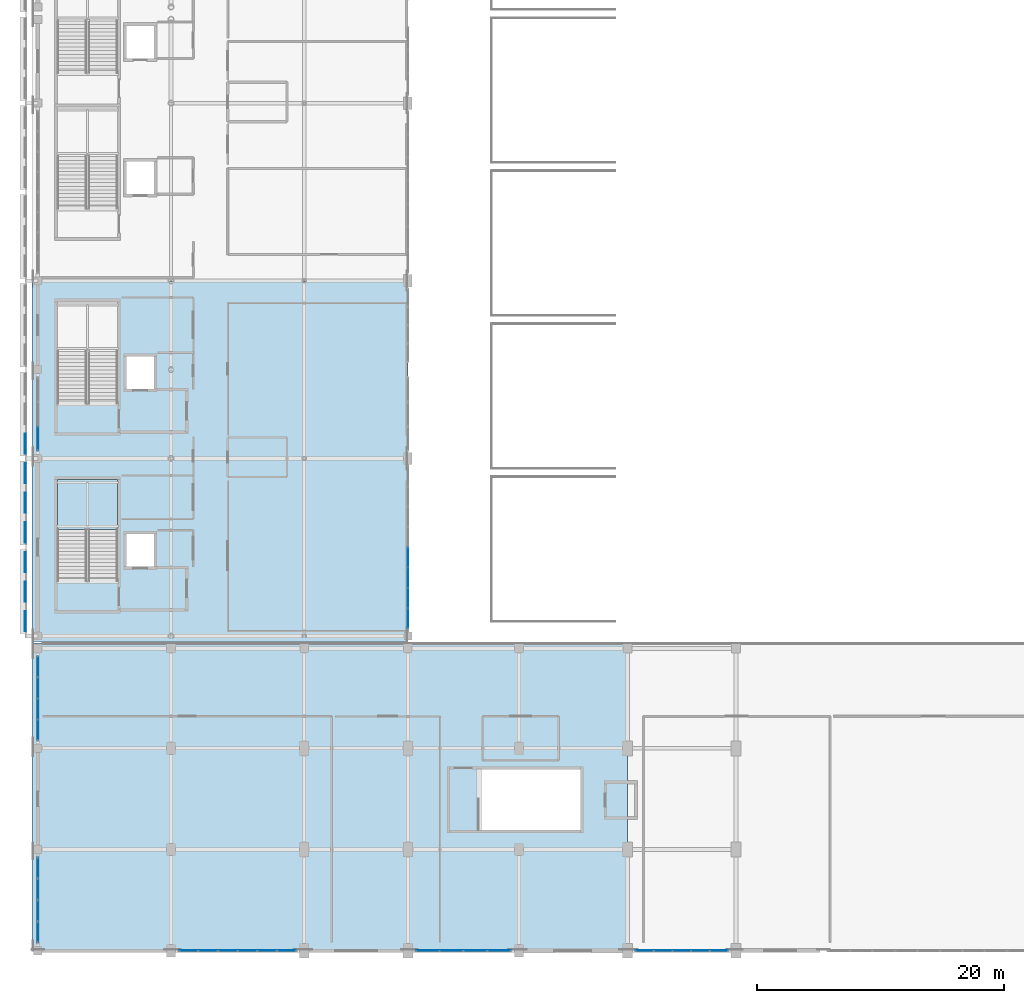
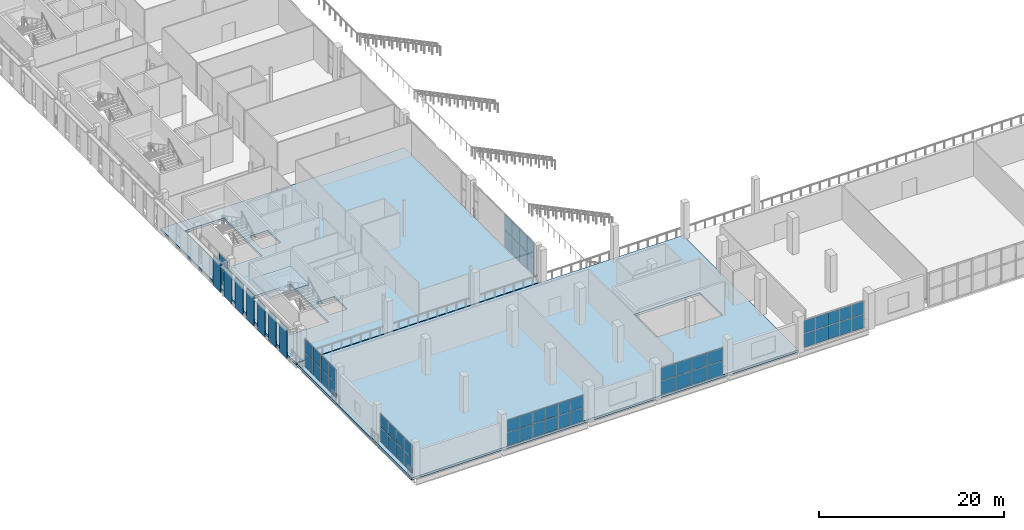
# One storey, part 52 of 104: 63 plates, 3 slabs, 8 elements without a shape of their own.
"""IFC4 building model written with IfcOpenShell, lengths in metres."""

from ifc_helpers import new_model, si_unit, direction, frame, origin, origin_2d, place, context, subcontext, project, spatial, polyline, rectangle, outline, extrude, material, layer, layer_set, type_object, element, aggregate, save


model = new_model("IFC4")

# Units and contexts
model_context = context("Model", 3, precision=1e-05, world=origin(), true_north=direction((0.0, 1.0)))
body_context = subcontext(model_context, "Body", "Model", "MODEL_VIEW")
ifc_project = project(units=[si_unit("LENGTHUNIT", "METRE"), si_unit("AREAUNIT", "SQUARE_METRE"), si_unit("VOLUMEUNIT", "CUBIC_METRE"), si_unit("PLANEANGLEUNIT", "RADIAN"), si_unit("MASSUNIT", "GRAM", prefix="KILO")], contexts=[model_context])

# Site, building, storey
site_placement = place(None, origin())
site = spatial("IfcSite", under=ifc_project, at=site_placement, CompositionType="ELEMENT")
building_placement = place(site_placement, origin())
building = spatial("IfcBuilding", under=site, at=building_placement, Name="Koshinbarg Plaza Stadium", CompositionType="ELEMENT")
storey_placement = place(building_placement, frame((0.0, 0.0, 19.800048828125)))
storey = spatial("IfcBuildingStorey", under=building, at=storey_placement, Name="L04", CompositionType="ELEMENT", Elevation=19.800048828125)

# Curtain wall, plates
ifc_material_1 = material(Name="Thermally broken anodised aluminium and low-E double glazing", Category="aluminium")
curtain_wall_type_1 = type_object("IfcCurtainWallType", Name="CW-SYS-13", PredefinedType="NOTDEFINED", material=ifc_material_1)
curtain_wall_1_placement = place(storey_placement, origin())
curtain_wall_1 = element("IfcCurtainWall", 1, at=curtain_wall_1_placement, inside=storey, type_object=curtain_wall_type_1, Name="L04 unitised curtain wall CW-L04-092", PredefinedType="NOTDEFINED")
ifc_material_2 = material(Name="Solar-control low-E double glazing unit", Category="glass")
ifc_layer_1 = layer(ifc_material_2, 0.028076171875)
ifc_layer_set_1 = layer_set([ifc_layer_1], Name="Solar-control low-E double glazing unit")
plate_type_1 = type_object("IfcPlateType", Name="CW-PNL-28", PredefinedType="CURTAIN_PANEL", material=ifc_layer_set_1)
plate_1_placement = place(storey_placement, frame((24.60009765625, 17.892578125, 0.059814453125), z_axis=(0.0, 0.0, 1.0), x_axis=(0.0, 1.0, 0.0)))
plate_1 = element("IfcPlate", 2, at=plate_1_placement, type_object=plate_type_1, Name="CW13 panel 1.1", PredefinedType="CURTAIN_PANEL", context=body_context, shape_type="SweptSolid", body=[
    extrude(rectangle(XDim=1.625, YDim=0.028076171875, at=origin_2d()), origin(), (0.0, 0.0, 1.0), 1.896484375),
])
plate_2_placement = place(storey_placement, frame((24.60009765625, 17.892578125, 2.016357421875), z_axis=(0.0, 0.0, 1.0), x_axis=(0.0, 1.0, 0.0)))
plate_2 = element("IfcPlate", 3, at=plate_2_placement, type_object=plate_type_1, Name="CW13 panel 1.2", PredefinedType="CURTAIN_PANEL", context=body_context, shape_type="SweptSolid", body=[
    extrude(rectangle(XDim=1.625, YDim=0.028076171875, at=origin_2d()), origin(), (0.0, 0.0, 1.0), 1.74365234375),
])
plate_3_placement = place(storey_placement, frame((24.60009765625, 19.592529296875, 0.059814453125), z_axis=(0.0, 0.0, 1.0), x_axis=(0.0, 1.0, 0.0)))
plate_3 = element("IfcPlate", 4, at=plate_3_placement, type_object=plate_type_1, Name="CW13 panel 2.1", PredefinedType="CURTAIN_PANEL", context=body_context, shape_type="SweptSolid", body=[
    extrude(rectangle(XDim=1.655029296875, YDim=0.028076171875, at=origin_2d()), origin(), (0.0, 0.0, 1.0), 1.896484375),
])
plate_4_placement = place(storey_placement, frame((24.60009765625, 19.592529296875, 2.016357421875), z_axis=(0.0, 0.0, 1.0), x_axis=(0.0, 1.0, 0.0)))
plate_4 = element("IfcPlate", 5, at=plate_4_placement, type_object=plate_type_1, Name="CW13 panel 2.2", PredefinedType="CURTAIN_PANEL", context=body_context, shape_type="SweptSolid", body=[
    extrude(rectangle(XDim=1.655029296875, YDim=0.028076171875, at=origin_2d()), origin(), (0.0, 0.0, 1.0), 1.74365234375),
])
plate_5_placement = place(storey_placement, frame((24.60009765625, 21.3076171875, 0.059814453125), z_axis=(0.0, 0.0, 1.0), x_axis=(0.0, 1.0, 0.0)))
plate_5 = element("IfcPlate", 6, at=plate_5_placement, type_object=plate_type_1, Name="CW13 panel 3.1", PredefinedType="CURTAIN_PANEL", context=body_context, shape_type="SweptSolid", body=[
    extrude(rectangle(XDim=1.655029296875, YDim=0.028076171875, at=origin_2d()), origin(), (0.0, 0.0, 1.0), 1.896484375),
])
plate_6_placement = place(storey_placement, frame((24.60009765625, 21.3076171875, 2.016357421875), z_axis=(0.0, 0.0, 1.0), x_axis=(0.0, 1.0, 0.0)))
plate_6 = element("IfcPlate", 7, at=plate_6_placement, type_object=plate_type_1, Name="CW13 panel 3.2", PredefinedType="CURTAIN_PANEL", context=body_context, shape_type="SweptSolid", body=[
    extrude(rectangle(XDim=1.655029296875, YDim=0.028076171875, at=origin_2d()), origin(), (0.0, 0.0, 1.0), 1.74365234375),
])
plate_7_placement = place(storey_placement, frame((24.60009765625, 23.007568359375, 0.059814453125), z_axis=(0.0, 0.0, 1.0), x_axis=(0.0, 1.0, 0.0)))
plate_7 = element("IfcPlate", 8, at=plate_7_placement, type_object=plate_type_1, Name="CW13 panel 4.1", PredefinedType="CURTAIN_PANEL", context=body_context, shape_type="SweptSolid", body=[
    extrude(rectangle(XDim=1.625, YDim=0.028076171875, at=origin_2d()), origin(), (0.0, 0.0, 1.0), 1.896484375),
])
plate_8_placement = place(storey_placement, frame((24.60009765625, 23.007568359375, 2.016357421875), z_axis=(0.0, 0.0, 1.0), x_axis=(0.0, 1.0, 0.0)))
plate_8 = element("IfcPlate", 9, at=plate_8_placement, type_object=plate_type_1, Name="CW13 panel 4.2", PredefinedType="CURTAIN_PANEL", context=body_context, shape_type="SweptSolid", body=[
    extrude(rectangle(XDim=1.625, YDim=0.028076171875, at=origin_2d()), origin(), (0.0, 0.0, 1.0), 1.74365234375),
])
aggregate(curtain_wall_1, [plate_1, plate_2, plate_3, plate_4, plate_5, plate_6, plate_7, plate_8])

curtain_wall_2_placement = place(storey_placement, origin())
curtain_wall_2 = element("IfcCurtainWall", 10, at=curtain_wall_2_placement, inside=storey, type_object=curtain_wall_type_1, Name="L04 unitised curtain wall CW-L04-108", PredefinedType="NOTDEFINED")
plate_9_placement = place(storey_placement, frame((79.80908203125, 0.0, 0.06005859375), z_axis=(0.0, 0.0, 1.0), x_axis=(-1.0, 0.0, 0.0)))
plate_9 = element("IfcPlate", 11, at=plate_9_placement, type_object=plate_type_1, Name="CW13 panel 1.1", PredefinedType="CURTAIN_PANEL", context=body_context, shape_type="SweptSolid", body=[
    extrude(rectangle(XDim=1.422119140625, YDim=0.028076171875, at=origin_2d()), origin(), (0.0, 0.0, 1.0), 1.823486328125),
])
plate_10_placement = place(storey_placement, frame((79.80908203125, 0.0, 1.943359375), z_axis=(0.0, 0.0, 1.0), x_axis=(-1.0, 0.0, 0.0)))
plate_10 = element("IfcPlate", 12, at=plate_10_placement, type_object=plate_type_1, Name="CW13 panel 1.2", PredefinedType="CURTAIN_PANEL", context=body_context, shape_type="SweptSolid", body=[
    extrude(rectangle(XDim=1.422119140625, YDim=0.028076171875, at=origin_2d()), origin(), (0.0, 0.0, 1.0), 1.676513671875),
])
plate_11_placement = place(storey_placement, frame((78.31201171875, 0.0, 0.06005859375), z_axis=(0.0, 0.0, 1.0), x_axis=(-1.0, 0.0, 0.0)))
plate_11 = element("IfcPlate", 13, at=plate_11_placement, type_object=plate_type_1, Name="CW13 panel 2.1", PredefinedType="CURTAIN_PANEL", context=body_context, shape_type="SweptSolid", body=[
    extrude(rectangle(XDim=1.451904296875, YDim=0.028076171875, at=origin_2d()), origin(), (0.0, 0.0, 1.0), 1.823486328125),
])
plate_12_placement = place(storey_placement, frame((78.31201171875, 0.0, 1.943359375), z_axis=(0.0, 0.0, 1.0), x_axis=(-1.0, 0.0, 0.0)))
plate_12 = element("IfcPlate", 14, at=plate_12_placement, type_object=plate_type_1, Name="CW13 panel 2.2", PredefinedType="CURTAIN_PANEL", context=body_context, shape_type="SweptSolid", body=[
    extrude(rectangle(XDim=1.451904296875, YDim=0.028076171875, at=origin_2d()), origin(), (0.0, 0.0, 1.0), 1.676513671875),
])
plate_13_placement = place(storey_placement, frame((76.800048828125, 0.0, 0.06005859375), z_axis=(0.0, 0.0, 1.0), x_axis=(-1.0, 0.0, 0.0)))
plate_13 = element("IfcPlate", 15, at=plate_13_placement, type_object=plate_type_1, Name="CW13 panel 3.1", PredefinedType="CURTAIN_PANEL", context=body_context, shape_type="SweptSolid", body=[
    extrude(rectangle(XDim=1.451904296875, YDim=0.028076171875, at=origin_2d()), origin(), (0.0, 0.0, 1.0), 1.823486328125),
])
plate_14_placement = place(storey_placement, frame((76.800048828125, 0.0, 1.943359375), z_axis=(0.0, 0.0, 1.0), x_axis=(-1.0, 0.0, 0.0)))
plate_14 = element("IfcPlate", 16, at=plate_14_placement, type_object=plate_type_1, Name="CW13 panel 3.2", PredefinedType="CURTAIN_PANEL", context=body_context, shape_type="SweptSolid", body=[
    extrude(rectangle(XDim=1.451904296875, YDim=0.028076171875, at=origin_2d()), origin(), (0.0, 0.0, 1.0), 1.676513671875),
])
plate_15_placement = place(storey_placement, frame((75.2880859375, 0.0, 0.06005859375), z_axis=(0.0, 0.0, 1.0), x_axis=(-1.0, 0.0, 0.0)))
plate_15 = element("IfcPlate", 17, at=plate_15_placement, type_object=plate_type_1, Name="CW13 panel 4.1", PredefinedType="CURTAIN_PANEL", context=body_context, shape_type="SweptSolid", body=[
    extrude(rectangle(XDim=1.451904296875, YDim=0.028076171875, at=origin_2d()), origin(), (0.0, 0.0, 1.0), 1.823486328125),
])
plate_16_placement = place(storey_placement, frame((75.2880859375, 0.0, 1.943359375), z_axis=(0.0, 0.0, 1.0), x_axis=(-1.0, 0.0, 0.0)))
plate_16 = element("IfcPlate", 18, at=plate_16_placement, type_object=plate_type_1, Name="CW13 panel 4.2", PredefinedType="CURTAIN_PANEL", context=body_context, shape_type="SweptSolid", body=[
    extrude(rectangle(XDim=1.451904296875, YDim=0.028076171875, at=origin_2d()), origin(), (0.0, 0.0, 1.0), 1.676513671875),
])
plate_17_placement = place(storey_placement, frame((73.791015625, 0.0, 0.06005859375), z_axis=(0.0, 0.0, 1.0), x_axis=(-1.0, 0.0, 0.0)))
plate_17 = element("IfcPlate", 19, at=plate_17_placement, type_object=plate_type_1, Name="CW13 panel 5.1", PredefinedType="CURTAIN_PANEL", context=body_context, shape_type="SweptSolid", body=[
    extrude(rectangle(XDim=1.422119140625, YDim=0.028076171875, at=origin_2d()), origin(), (0.0, 0.0, 1.0), 1.823486328125),
])
plate_18_placement = place(storey_placement, frame((73.791015625, 0.0, 1.943359375), z_axis=(0.0, 0.0, 1.0), x_axis=(-1.0, 0.0, 0.0)))
plate_18 = element("IfcPlate", 20, at=plate_18_placement, type_object=plate_type_1, Name="CW13 panel 5.2", PredefinedType="CURTAIN_PANEL", context=body_context, shape_type="SweptSolid", body=[
    extrude(rectangle(XDim=1.422119140625, YDim=0.028076171875, at=origin_2d()), origin(), (0.0, 0.0, 1.0), 1.676513671875),
])
aggregate(curtain_wall_2, [plate_9, plate_10, plate_11, plate_12, plate_13, plate_14, plate_15, plate_16, plate_17, plate_18])

curtain_wall_type_2 = type_object("IfcCurtainWallType", Name="CW-SYS-15", PredefinedType="NOTDEFINED", material=ifc_material_1)
curtain_wall_3_placement = place(storey_placement, origin())
curtain_wall_3 = element("IfcCurtainWall", 21, at=curtain_wall_3_placement, inside=storey, type_object=curtain_wall_type_2, Name="L04 unitised curtain wall CW-L04-110", PredefinedType="NOTDEFINED")
plate_19_placement = place(storey_placement, frame((44.768310546875, 0.0, 0.06005859375), z_axis=(0.0, 0.0, 1.0), x_axis=(-1.0, 0.0, 0.0)))
plate_19 = element("IfcPlate", 22, at=plate_19_placement, type_object=plate_type_1, Name="CW15 panel 1.1", PredefinedType="CURTAIN_PANEL", context=body_context, shape_type="SweptSolid", body=[
    extrude(rectangle(XDim=1.50341796875, YDim=0.028076171875, at=origin_2d()), origin(), (0.0, 0.0, 1.0), 1.740478515625),
])
plate_20_placement = place(storey_placement, frame((44.768310546875, 0.0, 1.8603515625), z_axis=(0.0, 0.0, 1.0), x_axis=(-1.0, 0.0, 0.0)))
plate_20 = element("IfcPlate", 23, at=plate_20_placement, type_object=plate_type_1, Name="CW15 panel 1.2", PredefinedType="CURTAIN_PANEL", context=body_context, shape_type="SweptSolid", body=[
    extrude(rectangle(XDim=1.50341796875, YDim=0.028076171875, at=origin_2d()), origin(), (0.0, 0.0, 1.0), 1.599609375),
])
plate_21_placement = place(storey_placement, frame((43.18994140625, 0.0, 0.06005859375), z_axis=(0.0, 0.0, 1.0), x_axis=(-1.0, 0.0, 0.0)))
plate_21 = element("IfcPlate", 24, at=plate_21_placement, type_object=plate_type_1, Name="CW15 panel 2.1", PredefinedType="CURTAIN_PANEL", context=body_context, shape_type="SweptSolid", body=[
    extrude(rectangle(XDim=1.533447265625, YDim=0.028076171875, at=origin_2d()), origin(), (0.0, 0.0, 1.0), 1.740478515625),
])
plate_22_placement = place(storey_placement, frame((43.18994140625, 0.0, 1.8603515625), z_axis=(0.0, 0.0, 1.0), x_axis=(-1.0, 0.0, 0.0)))
plate_22 = element("IfcPlate", 25, at=plate_22_placement, type_object=plate_type_1, Name="CW15 panel 2.2", PredefinedType="CURTAIN_PANEL", context=body_context, shape_type="SweptSolid", body=[
    extrude(rectangle(XDim=1.533447265625, YDim=0.028076171875, at=origin_2d()), origin(), (0.0, 0.0, 1.0), 1.599609375),
])
plate_23_placement = place(storey_placement, frame((41.5966796875, 0.0, 0.06005859375), z_axis=(0.0, 0.0, 1.0), x_axis=(-1.0, 0.0, 0.0)))
plate_23 = element("IfcPlate", 26, at=plate_23_placement, type_object=plate_type_1, Name="CW15 panel 3.1", PredefinedType="CURTAIN_PANEL", context=body_context, shape_type="SweptSolid", body=[
    extrude(rectangle(XDim=1.533447265625, YDim=0.028076171875, at=origin_2d()), origin(), (0.0, 0.0, 1.0), 1.740478515625),
])
plate_24_placement = place(storey_placement, frame((41.5966796875, 0.0, 1.8603515625), z_axis=(0.0, 0.0, 1.0), x_axis=(-1.0, 0.0, 0.0)))
plate_24 = element("IfcPlate", 27, at=plate_24_placement, type_object=plate_type_1, Name="CW15 panel 3.2", PredefinedType="CURTAIN_PANEL", context=body_context, shape_type="SweptSolid", body=[
    extrude(rectangle(XDim=1.533447265625, YDim=0.028076171875, at=origin_2d()), origin(), (0.0, 0.0, 1.0), 1.599609375),
])
plate_25_placement = place(storey_placement, frame((40.00341796875, 0.0, 0.06005859375), z_axis=(0.0, 0.0, 1.0), x_axis=(-1.0, 0.0, 0.0)))
plate_25 = element("IfcPlate", 28, at=plate_25_placement, type_object=plate_type_1, Name="CW15 panel 4.1", PredefinedType="CURTAIN_PANEL", context=body_context, shape_type="SweptSolid", body=[
    extrude(rectangle(XDim=1.533447265625, YDim=0.028076171875, at=origin_2d()), origin(), (0.0, 0.0, 1.0), 1.740478515625),
])
plate_26_placement = place(storey_placement, frame((40.00341796875, 0.0, 1.8603515625), z_axis=(0.0, 0.0, 1.0), x_axis=(-1.0, 0.0, 0.0)))
plate_26 = element("IfcPlate", 29, at=plate_26_placement, type_object=plate_type_1, Name="CW15 panel 4.2", PredefinedType="CURTAIN_PANEL", context=body_context, shape_type="SweptSolid", body=[
    extrude(rectangle(XDim=1.533447265625, YDim=0.028076171875, at=origin_2d()), origin(), (0.0, 0.0, 1.0), 1.599609375),
])
plate_27_placement = place(storey_placement, frame((38.409912109375, 0.0, 0.06005859375), z_axis=(0.0, 0.0, 1.0), x_axis=(-1.0, 0.0, 0.0)))
plate_27 = element("IfcPlate", 30, at=plate_27_placement, type_object=plate_type_1, Name="CW15 panel 5.1", PredefinedType="CURTAIN_PANEL", context=body_context, shape_type="SweptSolid", body=[
    extrude(rectangle(XDim=1.533447265625, YDim=0.028076171875, at=origin_2d()), origin(), (0.0, 0.0, 1.0), 1.740478515625),
])
plate_28_placement = place(storey_placement, frame((38.409912109375, 0.0, 1.8603515625), z_axis=(0.0, 0.0, 1.0), x_axis=(-1.0, 0.0, 0.0)))
plate_28 = element("IfcPlate", 31, at=plate_28_placement, type_object=plate_type_1, Name="CW15 panel 5.2", PredefinedType="CURTAIN_PANEL", context=body_context, shape_type="SweptSolid", body=[
    extrude(rectangle(XDim=1.533447265625, YDim=0.028076171875, at=origin_2d()), origin(), (0.0, 0.0, 1.0), 1.599609375),
])
plate_29_placement = place(storey_placement, frame((36.831787109375, 0.0, 0.06005859375), z_axis=(0.0, 0.0, 1.0), x_axis=(-1.0, 0.0, 0.0)))
plate_29 = element("IfcPlate", 32, at=plate_29_placement, type_object=plate_type_1, Name="CW15 panel 6.1", PredefinedType="CURTAIN_PANEL", context=body_context, shape_type="SweptSolid", body=[
    extrude(rectangle(XDim=1.50341796875, YDim=0.028076171875, at=origin_2d()), origin(), (0.0, 0.0, 1.0), 1.740478515625),
])
plate_30_placement = place(storey_placement, frame((36.831787109375, 0.0, 1.8603515625), z_axis=(0.0, 0.0, 1.0), x_axis=(-1.0, 0.0, 0.0)))
plate_30 = element("IfcPlate", 33, at=plate_30_placement, type_object=plate_type_1, Name="CW15 panel 6.2", PredefinedType="CURTAIN_PANEL", context=body_context, shape_type="SweptSolid", body=[
    extrude(rectangle(XDim=1.50341796875, YDim=0.028076171875, at=origin_2d()), origin(), (0.0, 0.0, 1.0), 1.599609375),
])
aggregate(curtain_wall_3, [plate_19, plate_20, plate_21, plate_22, plate_23, plate_24, plate_25, plate_26, plate_27, plate_28, plate_29, plate_30])

curtain_wall_type_3 = type_object("IfcCurtainWallType", Name="CW-SYS-09", PredefinedType="NOTDEFINED", material=ifc_material_1)
curtain_wall_4_placement = place(storey_placement, origin())
curtain_wall_4 = element("IfcCurtainWall", 34, at=curtain_wall_4_placement, inside=storey, type_object=curtain_wall_type_3, Name="L04 unitised curtain wall CW-L04-120", PredefinedType="NOTDEFINED")
plate_31_placement = place(storey_placement, frame((54.60009765625, 31.87744140625, 0.06005859375), z_axis=(0.0, 0.0, 1.0), x_axis=(0.0, -1.0, 0.0)))
plate_31 = element("IfcPlate", 35, at=plate_31_placement, type_object=plate_type_1, Name="CW09 panel 5.1", PredefinedType="CURTAIN_PANEL", context=body_context, shape_type="SweptSolid", body=[
    extrude(rectangle(XDim=1.5849609375, YDim=0.028076171875, at=origin_2d()), origin(), (0.0, 0.0, 1.0), 2.239501953125),
])
plate_32_placement = place(storey_placement, frame((54.60009765625, 31.87744140625, 2.359375), z_axis=(0.0, 0.0, 1.0), x_axis=(0.0, -1.0, 0.0)))
plate_32 = element("IfcPlate", 36, at=plate_32_placement, type_object=plate_type_1, Name="CW09 panel 5.2", PredefinedType="CURTAIN_PANEL", context=body_context, shape_type="SweptSolid", body=[
    extrude(rectangle(XDim=1.5849609375, YDim=0.028076171875, at=origin_2d()), origin(), (0.0, 0.0, 1.0), 2.060302734375),
])
plate_33_placement = place(storey_placement, frame((54.60009765625, 30.232421875, 0.06005859375), z_axis=(0.0, 0.0, 1.0), x_axis=(0.0, -1.0, 0.0)))
plate_33 = element("IfcPlate", 37, at=plate_33_placement, type_object=plate_type_1, Name="CW09 panel 6.1", PredefinedType="CURTAIN_PANEL", context=body_context, shape_type="SweptSolid", body=[
    extrude(rectangle(XDim=1.5849609375, YDim=0.028076171875, at=origin_2d()), origin(), (0.0, 0.0, 1.0), 2.239501953125),
])
plate_34_placement = place(storey_placement, frame((54.60009765625, 30.232421875, 2.359375), z_axis=(0.0, 0.0, 1.0), x_axis=(0.0, -1.0, 0.0)))
plate_34 = element("IfcPlate", 38, at=plate_34_placement, type_object=plate_type_1, Name="CW09 panel 6.2", PredefinedType="CURTAIN_PANEL", context=body_context, shape_type="SweptSolid", body=[
    extrude(rectangle(XDim=1.5849609375, YDim=0.028076171875, at=origin_2d()), origin(), (0.0, 0.0, 1.0), 2.060302734375),
])
plate_35_placement = place(storey_placement, frame((54.60009765625, 28.58740234375, 0.06005859375), z_axis=(0.0, 0.0, 1.0), x_axis=(0.0, -1.0, 0.0)))
plate_35 = element("IfcPlate", 39, at=plate_35_placement, type_object=plate_type_1, Name="CW09 panel 7.1", PredefinedType="CURTAIN_PANEL", context=body_context, shape_type="SweptSolid", body=[
    extrude(rectangle(XDim=1.5849609375, YDim=0.028076171875, at=origin_2d()), origin(), (0.0, 0.0, 1.0), 2.239501953125),
])
plate_36_placement = place(storey_placement, frame((54.60009765625, 28.58740234375, 2.359375), z_axis=(0.0, 0.0, 1.0), x_axis=(0.0, -1.0, 0.0)))
plate_36 = element("IfcPlate", 40, at=plate_36_placement, type_object=plate_type_1, Name="CW09 panel 7.2", PredefinedType="CURTAIN_PANEL", context=body_context, shape_type="SweptSolid", body=[
    extrude(rectangle(XDim=1.5849609375, YDim=0.028076171875, at=origin_2d()), origin(), (0.0, 0.0, 1.0), 2.060302734375),
])
plate_37_placement = place(storey_placement, frame((54.60009765625, 26.95751953125, 0.06005859375), z_axis=(0.0, 0.0, 1.0), x_axis=(0.0, -1.0, 0.0)))
plate_37 = element("IfcPlate", 41, at=plate_37_placement, type_object=plate_type_1, Name="CW09 panel 8.1", PredefinedType="CURTAIN_PANEL", context=body_context, shape_type="SweptSolid", body=[
    extrude(rectangle(XDim=1.554931640625, YDim=0.028076171875, at=origin_2d()), origin(), (0.0, 0.0, 1.0), 2.239501953125),
])
plate_38_placement = place(storey_placement, frame((54.60009765625, 26.95751953125, 2.359375), z_axis=(0.0, 0.0, 1.0), x_axis=(0.0, -1.0, 0.0)))
plate_38 = element("IfcPlate", 42, at=plate_38_placement, type_object=plate_type_1, Name="CW09 panel 8.2", PredefinedType="CURTAIN_PANEL", context=body_context, shape_type="SweptSolid", body=[
    extrude(rectangle(XDim=1.554931640625, YDim=0.028076171875, at=origin_2d()), origin(), (0.0, 0.0, 1.0), 2.060302734375),
])
aggregate(curtain_wall_4, [plate_31, plate_32, plate_33, plate_34, plate_35, plate_36, plate_37, plate_38])

curtain_wall_type_4 = type_object("IfcCurtainWallType", Name="CW-SYS-12", PredefinedType="NOTDEFINED", material=ifc_material_1)
curtain_wall_5_placement = place(storey_placement, origin())
curtain_wall_5 = element("IfcCurtainWall", 43, at=curtain_wall_5_placement, inside=storey, type_object=curtain_wall_type_4, Name="L04 unitised curtain wall CW-L04-091", PredefinedType="NOTDEFINED")
ifc_material_3 = material(Name="Acoustic solar-control double glazing unit", Category="glass")
ifc_layer_2 = layer(ifc_material_3, 0.031982421875)
ifc_layer_set_2 = layer_set([ifc_layer_2], Name="Acoustic solar-control double glazing unit")
plate_type_2 = type_object("IfcPlateType", Name="CW-PNL-32", PredefinedType="CURTAIN_PANEL", material=ifc_layer_set_2)
plate_39_placement = place(storey_placement, frame((24.60009765625, 1.5048828125, 0.059814453125), z_axis=(0.0, 0.0, 1.0), x_axis=(0.0, 1.0, 0.0)))
plate_39 = element("IfcPlate", 44, at=plate_39_placement, type_object=plate_type_2, Name="CW12 panel 1.1", PredefinedType="CURTAIN_PANEL", context=body_context, shape_type="SweptSolid", body=[
    extrude(rectangle(XDim=1.64990234375, YDim=0.031982421875, at=origin_2d()), origin(), (0.0, 0.0, 1.0), 1.896484375),
])
plate_40_placement = place(storey_placement, frame((24.60009765625, 1.5048828125, 2.016357421875), z_axis=(0.0, 0.0, 1.0), x_axis=(0.0, 1.0, 0.0)))
plate_40 = element("IfcPlate", 45, at=plate_40_placement, type_object=plate_type_2, Name="CW12 panel 1.2", PredefinedType="CURTAIN_PANEL", context=body_context, shape_type="SweptSolid", body=[
    extrude(rectangle(XDim=1.64990234375, YDim=0.031982421875, at=origin_2d()), origin(), (0.0, 0.0, 1.0), 1.74365234375),
])
plate_41_placement = place(storey_placement, frame((24.60009765625, 3.22998046875, 0.059814453125), z_axis=(0.0, 0.0, 1.0), x_axis=(0.0, 1.0, 0.0)))
plate_41 = element("IfcPlate", 46, at=plate_41_placement, type_object=plate_type_2, Name="CW12 panel 2.1", PredefinedType="CURTAIN_PANEL", context=body_context, shape_type="SweptSolid", body=[
    extrude(rectangle(XDim=1.679931640625, YDim=0.031982421875, at=origin_2d()), origin(), (0.0, 0.0, 1.0), 1.896484375),
])
plate_42_placement = place(storey_placement, frame((24.60009765625, 3.22998046875, 2.016357421875), z_axis=(0.0, 0.0, 1.0), x_axis=(0.0, 1.0, 0.0)))
plate_42 = element("IfcPlate", 47, at=plate_42_placement, type_object=plate_type_2, Name="CW12 panel 2.2", PredefinedType="CURTAIN_PANEL", context=body_context, shape_type="SweptSolid", body=[
    extrude(rectangle(XDim=1.679931640625, YDim=0.031982421875, at=origin_2d()), origin(), (0.0, 0.0, 1.0), 1.74365234375),
])
plate_43_placement = place(storey_placement, frame((24.60009765625, 4.969970703125, 0.059814453125), z_axis=(0.0, 0.0, 1.0), x_axis=(0.0, 1.0, 0.0)))
plate_43 = element("IfcPlate", 48, at=plate_43_placement, type_object=plate_type_2, Name="CW12 panel 3.1", PredefinedType="CURTAIN_PANEL", context=body_context, shape_type="SweptSolid", body=[
    extrude(rectangle(XDim=1.679931640625, YDim=0.031982421875, at=origin_2d()), origin(), (0.0, 0.0, 1.0), 1.896484375),
])
plate_44_placement = place(storey_placement, frame((24.60009765625, 4.969970703125, 2.016357421875), z_axis=(0.0, 0.0, 1.0), x_axis=(0.0, 1.0, 0.0)))
plate_44 = element("IfcPlate", 49, at=plate_44_placement, type_object=plate_type_2, Name="CW12 panel 3.2", PredefinedType="CURTAIN_PANEL", context=body_context, shape_type="SweptSolid", body=[
    extrude(rectangle(XDim=1.679931640625, YDim=0.031982421875, at=origin_2d()), origin(), (0.0, 0.0, 1.0), 1.74365234375),
])
plate_45_placement = place(storey_placement, frame((24.60009765625, 6.695068359375, 0.059814453125), z_axis=(0.0, 0.0, 1.0), x_axis=(0.0, 1.0, 0.0)))
plate_45 = element("IfcPlate", 50, at=plate_45_placement, type_object=plate_type_2, Name="CW12 panel 4.1", PredefinedType="CURTAIN_PANEL", context=body_context, shape_type="SweptSolid", body=[
    extrude(rectangle(XDim=1.64990234375, YDim=0.031982421875, at=origin_2d()), origin(), (0.0, 0.0, 1.0), 1.896484375),
])
plate_46_placement = place(storey_placement, frame((24.60009765625, 6.695068359375, 2.016357421875), z_axis=(0.0, 0.0, 1.0), x_axis=(0.0, 1.0, 0.0)))
plate_46 = element("IfcPlate", 51, at=plate_46_placement, type_object=plate_type_2, Name="CW12 panel 4.2", PredefinedType="CURTAIN_PANEL", context=body_context, shape_type="SweptSolid", body=[
    extrude(rectangle(XDim=1.64990234375, YDim=0.031982421875, at=origin_2d()), origin(), (0.0, 0.0, 1.0), 1.74365234375),
])
aggregate(curtain_wall_5, [plate_39, plate_40, plate_41, plate_42, plate_43, plate_44, plate_45, plate_46])

curtain_wall_type_5 = type_object("IfcCurtainWallType", Name="CW-SYS-14", PredefinedType="NOTDEFINED", material=ifc_material_1)
curtain_wall_6_placement = place(storey_placement, origin())
curtain_wall_6 = element("IfcCurtainWall", 52, at=curtain_wall_6_placement, inside=storey, type_object=curtain_wall_type_5, Name="L04 unitised curtain wall CW-L04-093", PredefinedType="NOTDEFINED")
plate_47_placement = place(storey_placement, frame((24.60009765625, 41.5283203125, 0.06005859375), z_axis=(0.0, 0.0, 1.0), x_axis=(0.0, 1.0, 0.0)))
plate_47 = element("IfcPlate", 53, at=plate_47_placement, type_object=plate_type_2, Name="CW14 panel 1.1", PredefinedType="CURTAIN_PANEL", context=body_context, shape_type="SweptSolid", body=[
    extrude(rectangle(XDim=1.896728515625, YDim=0.031982421875, at=origin_2d()), origin(), (0.0, 0.0, 1.0), 1.927490234375),
])
plate_48_placement = place(storey_placement, frame((24.60009765625, 41.5283203125, 2.047607421875), z_axis=(0.0, 0.0, 1.0), x_axis=(0.0, 1.0, 0.0)))
plate_48 = element("IfcPlate", 54, at=plate_48_placement, type_object=plate_type_2, Name="CW14 panel 1.2", PredefinedType="CURTAIN_PANEL", context=body_context, shape_type="SweptSolid", body=[
    extrude(rectangle(XDim=1.896728515625, YDim=0.031982421875, at=origin_2d()), origin(), (0.0, 0.0, 1.0), 1.7724609375),
])
aggregate(curtain_wall_6, [plate_47, plate_48])

curtain_wall_7_placement = place(storey_placement, origin())
curtain_wall_7 = element("IfcCurtainWall", 55, at=curtain_wall_7_placement, inside=storey, type_object=curtain_wall_type_5, Name="L04 unitised curtain wall CW-L04-109", PredefinedType="NOTDEFINED")
plate_49_placement = place(storey_placement, frame((61.9951171875, 0.0, 0.06005859375), z_axis=(0.0, 0.0, 1.0), x_axis=(-1.0, 0.0, 0.0)))
plate_49 = element("IfcPlate", 56, at=plate_49_placement, type_object=plate_type_2, Name="CW14 panel 1.1", PredefinedType="CURTAIN_PANEL", context=body_context, shape_type="SweptSolid", body=[
    extrude(rectangle(XDim=1.85009765625, YDim=0.031982421875, at=origin_2d()), origin(), (0.0, 0.0, 1.0), 1.823486328125),
])
plate_50_placement = place(storey_placement, frame((61.9951171875, 0.0, 1.943359375), z_axis=(0.0, 0.0, 1.0), x_axis=(-1.0, 0.0, 0.0)))
plate_50 = element("IfcPlate", 57, at=plate_50_placement, type_object=plate_type_2, Name="CW14 panel 1.2", PredefinedType="CURTAIN_PANEL", context=body_context, shape_type="SweptSolid", body=[
    extrude(rectangle(XDim=1.85009765625, YDim=0.031982421875, at=origin_2d()), origin(), (0.0, 0.0, 1.0), 1.676513671875),
])
plate_51_placement = place(storey_placement, frame((60.070068359375, 0.0, 0.06005859375), z_axis=(0.0, 0.0, 1.0), x_axis=(-1.0, 0.0, 0.0)))
plate_51 = element("IfcPlate", 58, at=plate_51_placement, type_object=plate_type_2, Name="CW14 panel 2.1", PredefinedType="CURTAIN_PANEL", context=body_context, shape_type="SweptSolid", body=[
    extrude(rectangle(XDim=1.8798828125, YDim=0.031982421875, at=origin_2d()), origin(), (0.0, 0.0, 1.0), 1.823486328125),
])
plate_52_placement = place(storey_placement, frame((60.070068359375, 0.0, 1.943359375), z_axis=(0.0, 0.0, 1.0), x_axis=(-1.0, 0.0, 0.0)))
plate_52 = element("IfcPlate", 59, at=plate_52_placement, type_object=plate_type_2, Name="CW14 panel 2.2", PredefinedType="CURTAIN_PANEL", context=body_context, shape_type="SweptSolid", body=[
    extrude(rectangle(XDim=1.8798828125, YDim=0.031982421875, at=origin_2d()), origin(), (0.0, 0.0, 1.0), 1.676513671875),
])
plate_53_placement = place(storey_placement, frame((58.1298828125, 0.0, 0.06005859375), z_axis=(0.0, 0.0, 1.0), x_axis=(-1.0, 0.0, 0.0)))
plate_53 = element("IfcPlate", 60, at=plate_53_placement, type_object=plate_type_2, Name="CW14 panel 3.1", PredefinedType="CURTAIN_PANEL", context=body_context, shape_type="SweptSolid", body=[
    extrude(rectangle(XDim=1.8798828125, YDim=0.031982421875, at=origin_2d()), origin(), (0.0, 0.0, 1.0), 1.823486328125),
])
plate_54_placement = place(storey_placement, frame((58.1298828125, 0.0, 1.943359375), z_axis=(0.0, 0.0, 1.0), x_axis=(-1.0, 0.0, 0.0)))
plate_54 = element("IfcPlate", 61, at=plate_54_placement, type_object=plate_type_2, Name="CW14 panel 3.2", PredefinedType="CURTAIN_PANEL", context=body_context, shape_type="SweptSolid", body=[
    extrude(rectangle(XDim=1.8798828125, YDim=0.031982421875, at=origin_2d()), origin(), (0.0, 0.0, 1.0), 1.676513671875),
])
plate_55_placement = place(storey_placement, frame((56.205078125, 0.0, 0.06005859375), z_axis=(0.0, 0.0, 1.0), x_axis=(-1.0, 0.0, 0.0)))
plate_55 = element("IfcPlate", 62, at=plate_55_placement, type_object=plate_type_2, Name="CW14 panel 4.1", PredefinedType="CURTAIN_PANEL", context=body_context, shape_type="SweptSolid", body=[
    extrude(rectangle(XDim=1.85009765625, YDim=0.031982421875, at=origin_2d()), origin(), (0.0, 0.0, 1.0), 1.823486328125),
])
plate_56_placement = place(storey_placement, frame((56.205078125, 0.0, 1.943359375), z_axis=(0.0, 0.0, 1.0), x_axis=(-1.0, 0.0, 0.0)))
plate_56 = element("IfcPlate", 63, at=plate_56_placement, type_object=plate_type_2, Name="CW14 panel 4.2", PredefinedType="CURTAIN_PANEL", context=body_context, shape_type="SweptSolid", body=[
    extrude(rectangle(XDim=1.85009765625, YDim=0.031982421875, at=origin_2d()), origin(), (0.0, 0.0, 1.0), 1.676513671875),
])
aggregate(curtain_wall_7, [plate_49, plate_50, plate_51, plate_52, plate_53, plate_54, plate_55, plate_56])

# Plates
ifc_material_4 = material(Name="Off-white mineral-coated perforated aluminium screen panel", Category="aluminium")
ifc_layer_3 = layer(ifc_material_4, 0.050048828125)
ifc_layer_set_3 = layer_set([ifc_layer_3], Name="Off-white mineral-coated perforated aluminium screen panel")
plate_type_3 = type_object("IfcPlateType", Name="PLT-SCR-50", PredefinedType="USERDEFINED", material=ifc_layer_set_3)
for number, where, z_axis, x_axis, name in (
    (64, (23.580078125, 29.10009765625, 0.19970703125), (0.0, 0.0, 1.0), (1.0, 0.0, 0.0), "L04 off-white leaf-pierced outer screen panel 044"),
    (65, (23.580078125, 33.89990234375, 0.19970703125), (0.0, 0.0, 1.0), (1.0, 0.0, 0.0), "L04 off-white leaf-pierced outer screen panel 046"),
    (66, (23.580078125, 38.699951171875, 0.19970703125), (0.0, 0.0, 1.0), (1.0, 0.0, 0.0), "L04 off-white leaf-pierced outer screen panel 048"),
):
    element("IfcPlate", number, at=place(storey_placement, frame(where, z_axis=z_axis, x_axis=x_axis)), inside=storey, type_object=plate_type_3, Name=name, ObjectType="SCREEN PANEL", PredefinedType="USERDEFINED", context=body_context, shape_type="SweptSolid", body=[
        extrude(rectangle(XDim=0.050048828125, YDim=1.632080078125, at=origin_2d()), origin(), (0.0, 0.0, 1.0), 4.030029296875),
    ])
ifc_material_5 = material(Name="Off-white mineral-coated leaf-aperture GRC screen panel")
ifc_layer_4 = layer(ifc_material_5, 0.06005859375)
ifc_layer_set_4 = layer_set([ifc_layer_4], Name="Off-white mineral-coated leaf-aperture GRC screen panel")
plate_type_4 = type_object("IfcPlateType", Name="PLT-SCR-60", PredefinedType="USERDEFINED", material=ifc_layer_set_4)
for number, where, z_axis, x_axis, name in (
    (67, (23.574951171875, 26.699951171875, 0.19970703125), (0.0, 0.0, 1.0), (1.0, 0.0, 0.0), "L04 off-white leaf-pierced outer screen panel 043"),
    (68, (23.574951171875, 31.5, 0.19970703125), (0.0, 0.0, 1.0), (1.0, 0.0, 0.0), "L04 off-white leaf-pierced outer screen panel 045"),
    (69, (23.574951171875, 36.300048828125, 0.19970703125), (0.0, 0.0, 1.0), (1.0, 0.0, 0.0), "L04 off-white leaf-pierced outer screen panel 047"),
    (70, (23.574951171875, 41.10009765625, 0.19970703125), (0.0, 0.0, 1.0), (1.0, 0.0, 0.0), "L04 off-white leaf-pierced outer screen panel 049"),
):
    element("IfcPlate", number, at=place(storey_placement, frame(where, z_axis=z_axis, x_axis=x_axis)), inside=storey, type_object=plate_type_4, Name=name, ObjectType="SCREEN PANEL", PredefinedType="USERDEFINED", context=body_context, shape_type="SweptSolid", body=[
        extrude(rectangle(XDim=0.06005859375, YDim=1.632080078125, at=origin_2d()), origin(), (0.0, 0.0, 1.0), 4.030029296875),
    ])

# Slabs
ifc_material_6 = material(Name="Concrete C35/45", Category="concrete")
ifc_layer_5 = layer(ifc_material_6, 0.300048828125)
ifc_layer_set_5 = layer_set([ifc_layer_5], Name="Concrete C35/45")
slab_type_1 = type_object("IfcSlabType", Name="SL-FLR-300", PredefinedType="FLOOR", material=ifc_layer_set_5)
slab_1_placement = place(storey_placement, frame((0.0, 0.0, -0.300048828125)))
element("IfcSlab", 71, at=slab_1_placement, inside=storey, type_object=slab_type_1, Name="L04 V1 structural slab 1", PredefinedType="FLOOR", context=body_context, shape_type="SweptSolid", body=[
    extrude(outline(polyline([(24.14501953125, 25.044921875), (54.60009765625, 25.044921875), (54.60009765625, 54.300048828125), (24.14501953125, 54.300048828125), (24.14501953125, 25.044921875)]), holes=[polyline([(31.070068359375, 29.9599609375), (31.070068359375, 38.199951171875), (26.199951171875, 38.199951171875), (26.199951171875, 29.9599609375), (31.070068359375, 29.9599609375)]), polyline([(31.75, 31.10009765625), (34.050048828125, 31.10009765625), (34.050048828125, 33.800048828125), (31.75, 33.800048828125), (31.75, 31.10009765625)]), polyline([(31.070068359375, 44.360107421875), (31.070068359375, 52.60009765625), (26.199951171875, 52.60009765625), (26.199951171875, 44.360107421875), (31.070068359375, 44.360107421875)]), polyline([(31.75, 45.5), (34.050048828125, 45.5), (34.050048828125, 48.199951171875), (31.75, 48.199951171875), (31.75, 45.5)])]), origin(), (0.0, 0.0, 1.0), 0.300048828125),
])
slab_2_placement = place(storey_placement, frame((0.0, 0.0, -0.300048828125)))
element("IfcSlab", 72, at=slab_2_placement, inside=storey, type_object=slab_type_1, Name="L04 V4 structural slab 9", PredefinedType="FLOOR", context=body_context, shape_type="SweptSolid", body=[
    extrude(outline(polyline([(24.14501953125, 0.0), (72.39990234375, 0.0), (72.39990234375, 24.955078125), (24.14501953125, 24.955078125), (24.14501953125, 0.0)]), holes=[polyline([(60.360107421875, 9.800048828125), (68.60009765625, 9.800048828125), (68.60009765625, 14.669921875), (60.360107421875, 14.669921875), (60.360107421875, 9.800048828125)])]), origin(), (0.0, 0.0, 1.0), 0.300048828125),
])

# Stair, slab
stair_type = type_object("IfcStairType", Name="ST-CORE-48", PredefinedType="HALF_TURN_STAIR", material=ifc_material_6)
stair_placement = place(storey_placement, origin())
stair = element("IfcStair", 73, at=stair_placement, inside=storey, type_object=stair_type, Name="L04 Protected Exit Stair C01", PredefinedType="HALF_TURN_STAIR")
ifc_layer_6 = layer(ifc_material_6, 0.320068359375)
ifc_layer_set_6 = layer_set([ifc_layer_6], Name="Concrete C35/45")
slab_type_2 = type_object("IfcSlabType", Name="SL-STLAND-280", PredefinedType="LANDING", material=ifc_layer_set_6)
slab_3_placement = place(storey_placement, frame((0.0, 0.0, 2.079833984375)))
slab_3 = element("IfcSlab", 74, at=slab_3_placement, type_object=slab_type_2, Name="L04 Protected Exit Stair C01 landing 005", PredefinedType="LANDING", context=body_context, shape_type="SweptSolid", body=[
    extrude(outline(polyline([(31.070068359375, 34.159912109375), (31.070068359375, 38.199951171875), (26.199951171875, 38.199951171875), (26.199951171875, 34.159912109375), (31.070068359375, 34.159912109375)])), origin(), (0.0, 0.0, 1.0), 0.320068359375),
])
aggregate(stair, [slab_3])

save(model, "model.ifc")
